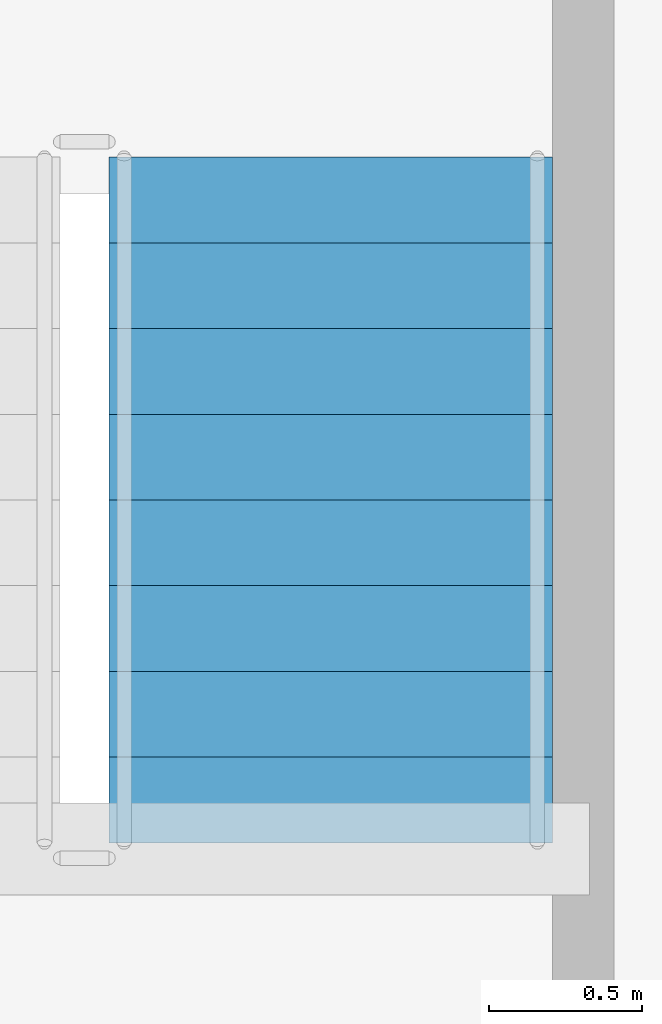
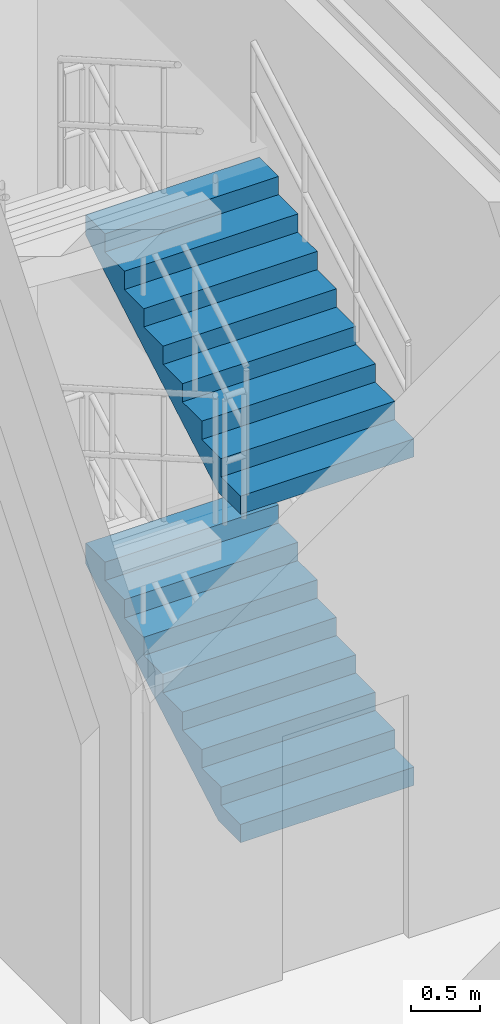
# One storey, part 8 of 12: 2 stair flights, 1 element without a shape of its own.
"""IFC4 building model written with IfcOpenShell, lengths in metres."""

import ifcopenshell
import ifcopenshell.guid

model = None  # the IFC model being written
_history = None  # IfcOwnerHistory: only IFC2X3 demands one
_inside = {}  # id of a spatial element -> (the spatial element, [elements in it])
_under = {}  # id of a project, library or spatial element -> (it, [spatial elements below it])
_declared = {}  # id of a project -> (the project, [libraries it declares])
_typed = {}  # id of a type object -> (the type object, [elements of that type])
_made_of = {}  # id of a material, layer set ... -> (it, [elements and type objects made of it])


def new_model(schema):
    """Start an empty IFC model of exactly this schema.

    Asked for "IFC4X3", IfcOpenShell would pick the latest addendum, in which some entities
    have other attributes; the version numbers below select the first issue.
    IFC2X3 requires an IfcOwnerHistory on every rooted entity: one is made here for all.
    """
    global model, _history
    if schema == "IFC4X3":
        model = ifcopenshell.file(schema_version=(4, 3, 0, 0))
    else:
        model = ifcopenshell.file(schema=schema)
    _inside.clear()
    _under.clear()
    _declared.clear()
    _typed.clear()
    _made_of.clear()
    _history = None
    if model.schema == "IFC2X3":
        org = make("IfcOrganization", Name="unknown")
        user = make(
            "IfcPersonAndOrganization",
            ThePerson=make("IfcPerson", FamilyName="unknown"),
            TheOrganization=org,
        )
        app = make(
            "IfcApplication",
            ApplicationDeveloper=org,
            Version="unknown",
            ApplicationFullName="unknown",
            ApplicationIdentifier="unknown",
        )
        _history = make(
            "IfcOwnerHistory",
            OwningUser=user,
            OwningApplication=app,
            ChangeAction="ADDED",
            CreationDate=0,
        )
    return model


def make(cls, **values):
    """One entity of the class cls with the attributes given. An attribute that is None is left unset."""
    return model.create_entity(
        cls, **{name: value for name, value in values.items() if value is not None}
    )


def rooted(cls, **values):
    """An entity with a GlobalId (a new one), such as an element, a storey or a relation."""
    return make(cls, GlobalId=ifcopenshell.guid.new(), OwnerHistory=_history, **values)


def si_unit(unit_type, name, prefix=None):
    """IfcSIUnit, for example si_unit("LENGTHUNIT", "METRE", prefix="MILLI")."""
    return make("IfcSIUnit", UnitType=unit_type, Prefix=prefix, Name=name)


def assignment(units):
    """IfcUnitAssignment: the units of a project."""
    return None if units is None else make("IfcUnitAssignment", Units=units)


def point(xyz):
    """IfcCartesianPoint."""
    return None if xyz is None else make("IfcCartesianPoint", Coordinates=xyz)


def direction(xyz):
    """IfcDirection."""
    return None if xyz is None else make("IfcDirection", DirectionRatios=xyz)


def frame(location, z_axis=None, x_axis=None):
    """IfcAxis2Placement3D, a coordinate frame: its origin and axes. An axis left out is left unset."""
    return make(
        "IfcAxis2Placement3D",
        Location=point(location),
        Axis=direction(z_axis),
        RefDirection=direction(x_axis),
    )


def origin():
    """The frame at (0, 0, 0) with its axes left unset."""
    return frame((0.0, 0.0, 0.0))


def place(relative_to, where):
    """IfcLocalPlacement: puts the frame where relative to a parent placement (None: the world)."""
    return make(
        "IfcLocalPlacement", PlacementRelTo=relative_to, RelativePlacement=where
    )


def context(
    kind, dimensions, precision=None, world=None, true_north=None, identifier=None
):
    """IfcGeometricRepresentationContext, for example the 3D "Model" context."""
    return make(
        "IfcGeometricRepresentationContext",
        ContextIdentifier=identifier,
        ContextType=kind,
        CoordinateSpaceDimension=dimensions,
        Precision=precision,
        WorldCoordinateSystem=world,
        TrueNorth=true_north,
    )


def subcontext(parent, identifier, kind, view, scale=None):
    """IfcGeometricRepresentationSubContext, for example "Body" below "Model"."""
    return make(
        "IfcGeometricRepresentationSubContext",
        ContextIdentifier=identifier,
        ContextType=kind,
        ParentContext=parent,
        TargetScale=scale,
        TargetView=view,
    )


def project(units=None, contexts=None):
    """IfcProject with its units and contexts."""
    return rooted(
        "IfcProject",
        Name="project",
        RepresentationContexts=contexts,
        UnitsInContext=assignment(units),
    )


def spatial(cls, under=None, at=None, **own):
    """A site, building, storey or space (cls), placed at a placement, below another one or the project."""
    s = rooted(cls, ObjectPlacement=at, **own)
    if under is not None:
        _under.setdefault(under.id(), (under, []))[1].append(s)
    return s


def polyline(points):
    """IfcPolyline through the points."""
    return make("IfcPolyline", Points=[point(p) for p in points])


def outline(outer, holes=None, kind="AREA"):
    """IfcArbitraryClosedProfileDef: a profile drawn as a closed curve; with holes, ...WithVoids."""
    if holes is None:
        return make("IfcArbitraryClosedProfileDef", ProfileType=kind, OuterCurve=outer)
    return make(
        "IfcArbitraryProfileDefWithVoids",
        ProfileType=kind,
        OuterCurve=outer,
        InnerCurves=holes,
    )


def extrude(swept, where, along, depth):
    """IfcExtrudedAreaSolid: the profile swept, set in the frame where, extruded along a direction by depth."""
    return make(
        "IfcExtrudedAreaSolid",
        SweptArea=swept,
        Position=where,
        ExtrudedDirection=direction(along),
        Depth=depth,
    )


def shape(context_of_items, identifier, shape_type, items):
    """IfcShapeRepresentation: the items that make up one representation, for example the "Body"."""
    return make(
        "IfcShapeRepresentation",
        ContextOfItems=context_of_items,
        RepresentationIdentifier=identifier,
        RepresentationType=shape_type,
        Items=items,
    )


def material(Name=None, Category=None):
    """IfcMaterial."""
    return make("IfcMaterial", Name=Name, Category=Category)


def layer(
    of_material, thickness, ventilated=None, Name=None, Category=None, Priority=None
):
    """IfcMaterialLayer: one layer of a wall or slab, of a material (None: an air gap)."""
    return make(
        "IfcMaterialLayer",
        Material=of_material,
        LayerThickness=thickness,
        IsVentilated=ventilated,
        Name=Name,
        Category=Category,
        Priority=Priority,
    )


def layer_set(layers, Name=None):
    """IfcMaterialLayerSet."""
    return make("IfcMaterialLayerSet", MaterialLayers=layers, LayerSetName=Name)


def made_of(thing, what):
    """Note that an element or type object is made of a material, layer set ...; save() writes the relation."""
    if what is not None:
        _made_of.setdefault(what.id(), (what, []))[1].append(thing)
    return thing


def type_object(cls, material=None, **own):
    """A type object (cls), such as IfcWallType, which elements share."""
    return made_of(rooted(cls, **own), material)


def element(
    cls,
    number,
    at=None,
    inside=None,
    cuts=None,
    type_object=None,
    material=None,
    context=None,
    identifier="Body",
    shape_type=None,
    held_by="IfcProductDefinitionShape",
    body=None,
    shapes=None,
    **own,
):
    """One element of the class cls, such as IfcWall. Its Tag is "e" and its number.

    at: its placement. inside: the storey or other place that contains it. cuts: it is an
    opening in that element (IfcRelVoidsElement). A single representation is given by context,
    identifier, shape_type and body (its items); several are given by shapes. held_by: the class
    of the entity that holds the representations. save() writes the other relations.
    """
    e = rooted(cls, Tag="e%d" % number, ObjectPlacement=at, **own)
    if body is not None:
        shapes = [shape(context, identifier, shape_type, body)]
    if shapes is not None:
        e.Representation = make(held_by, Representations=shapes)
    if inside is not None:
        _inside.setdefault(inside.id(), (inside, []))[1].append(e)
    if cuts is not None:
        rooted(
            "IfcRelVoidsElement", RelatingBuildingElement=cuts, RelatedOpeningElement=e
        )
    if type_object is not None:
        _typed.setdefault(type_object.id(), (type_object, []))[1].append(e)
    return made_of(e, material)


def aggregate(whole, parts):
    """IfcRelAggregates: a whole, such as a stair, and the parts it consists of."""
    return rooted("IfcRelAggregates", RelatingObject=whole, RelatedObjects=parts)


def save(model, path):
    """Write the relations noted so far, then the file.

    IfcRelAggregates (storeys below a building ...), IfcRelContainedInSpatialStructure (elements
    in a storey), IfcRelDefinesByType, IfcRelAssociatesMaterial and IfcRelDeclares: one each for
    every whole, place, type object, material and project.
    """
    for whole, parts in _under.values():
        aggregate(whole, parts)
    for where, things in _inside.values():
        rooted(
            "IfcRelContainedInSpatialStructure",
            RelatedElements=things,
            RelatingStructure=where,
        )
    for kind, things in _typed.values():
        rooted("IfcRelDefinesByType", RelatedObjects=things, RelatingType=kind)
    for what, things in _made_of.values():
        rooted("IfcRelAssociatesMaterial", RelatedObjects=things, RelatingMaterial=what)
    for by, libraries in _declared.values():
        rooted("IfcRelDeclares", RelatingContext=by, RelatedDefinitions=libraries)
    model.write(path)


model = new_model("IFC4")

# Units and contexts
model_context = context("Model", 3, precision=1e-05, world=origin(), true_north=direction((0.0, 1.0)))
body_context = subcontext(model_context, "Body", "Model", "MODEL_VIEW")
ifc_project = project(units=[si_unit("LENGTHUNIT", "METRE"), si_unit("AREAUNIT", "SQUARE_METRE"), si_unit("VOLUMEUNIT", "CUBIC_METRE"), si_unit("PLANEANGLEUNIT", "RADIAN"), si_unit("MASSUNIT", "GRAM", prefix="KILO")], contexts=[model_context])

# Site, building, storey
site_placement = place(None, origin())
site = spatial("IfcSite", under=ifc_project, at=site_placement, CompositionType="ELEMENT")
building_placement = place(site_placement, origin())
building = spatial("IfcBuilding", under=site, at=building_placement, Name="Talar Marvaseh", CompositionType="ELEMENT")
storey_placement = place(building_placement, frame((0.0, 0.0, -5.800048828125)))
storey = spatial("IfcBuildingStorey", under=building, at=storey_placement, Name="B01", CompositionType="ELEMENT", Elevation=-5.800048828125)

# Stair, stair flights
ifc_material = material(Name="Concrete C40/50", Category="concrete")
stair_type = type_object("IfcStairType", Name="Reinforced Concrete Half-Turn Exit Stair Type A", PredefinedType="HALF_TURN_STAIR", material=ifc_material)
stair_placement = place(storey_placement, origin())
stair = element("IfcStair", 1, at=stair_placement, inside=storey, type_object=stair_type, Name="B01 Market Hall South-East Exit Stair", PredefinedType="HALF_TURN_STAIR")
ifc_layer = layer(ifc_material, 0.18505859375)
ifc_layer_set = layer_set([ifc_layer], Name="Concrete C40/50")
stair_flight_type = type_object("IfcStairFlightType", Name="Reinforced Concrete Heavy Podium Stair Flight 185", PredefinedType="STRAIGHT", material=ifc_layer_set)
stair_flight_1_placement = place(storey_placement, frame((76.074951171875, 19.64990234375, 0.0), z_axis=(0.0, 0.0, 1.0), x_axis=(0.0, 1.0, 0.0)))
stair_flight_1 = element("IfcStairFlight", 2, at=stair_flight_1_placement, type_object=stair_flight_type, Name="MH-ST2 flight 1", NumberOfRisers=9, NumberOfTreads=8, PredefinedType="STRAIGHT", RiserHeight=0.161111111, TreadLength=0.28, context=body_context, shape_type="SweptSolid", body=[
    extrude(outline(polyline([(0.0, 0.0), (0.0, 0.1611328125), (0.280029296875, 0.1611328125), (0.280029296875, 0.322265625), (0.56005859375, 0.322265625), (0.56005859375, 0.4833984375), (0.840087890625, 0.4833984375), (0.840087890625, 0.64453125), (1.1201171875, 0.64453125), (1.1201171875, 0.8056640625), (1.39990234375, 0.8056640625), (1.39990234375, 0.966552734375), (1.679931640625, 0.966552734375), (1.679931640625, 1.127685546875), (1.9599609375, 1.127685546875), (1.9599609375, 1.288818359375), (2.239990234375, 1.288818359375), (2.239990234375, 1.449951171875), (2.239990234375, 1.1044921875), (0.320556640625, 0.0), (0.0, 0.0)])), frame((0.0, 0.72509765625, 0.0), z_axis=(0.0, -1.0, 0.0), x_axis=(1.0, 0.0, 0.0)), (0.0, 0.0, 1.0), 1.449951171875),
])
stair_flight_2_placement = place(storey_placement, frame((76.074951171875, 19.64990234375, 2.900146484375), z_axis=(0.0, 0.0, 1.0), x_axis=(0.0, 1.0, 0.0)))
stair_flight_2 = element("IfcStairFlight", 3, at=stair_flight_2_placement, type_object=stair_flight_type, Name="MH-ST2 flight 3", NumberOfRisers=9, NumberOfTreads=8, PredefinedType="STRAIGHT", RiserHeight=0.161111111, TreadLength=0.28, context=body_context, shape_type="SweptSolid", body=[
    extrude(outline(polyline([(0.0, 0.0), (0.0, 0.1611328125), (0.280029296875, 0.1611328125), (0.280029296875, 0.322265625), (0.56005859375, 0.322265625), (0.56005859375, 0.4833984375), (0.840087890625, 0.4833984375), (0.840087890625, 0.64453125), (1.1201171875, 0.64453125), (1.1201171875, 0.8056640625), (1.39990234375, 0.8056640625), (1.39990234375, 0.966552734375), (1.679931640625, 0.966552734375), (1.679931640625, 1.127685546875), (1.9599609375, 1.127685546875), (1.9599609375, 1.288818359375), (2.239990234375, 1.288818359375), (2.239990234375, 1.449951171875), (2.239990234375, 1.1044921875), (0.320556640625, 0.0), (0.0, 0.0)])), frame((0.0, 0.72509765625, 0.0), z_axis=(0.0, -1.0, 0.0), x_axis=(1.0, 0.0, 0.0)), (0.0, 0.0, 1.0), 1.449951171875),
])
aggregate(stair, [stair_flight_1, stair_flight_2])

save(model, "model.ifc")
